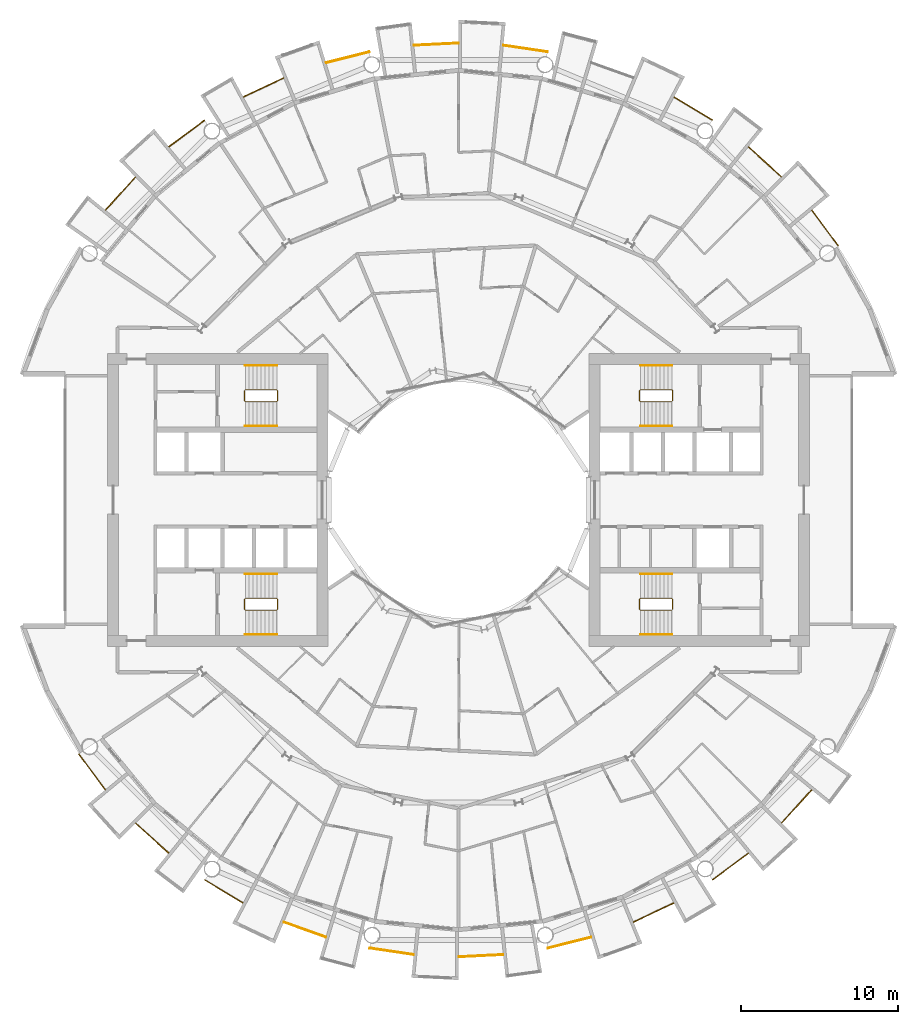
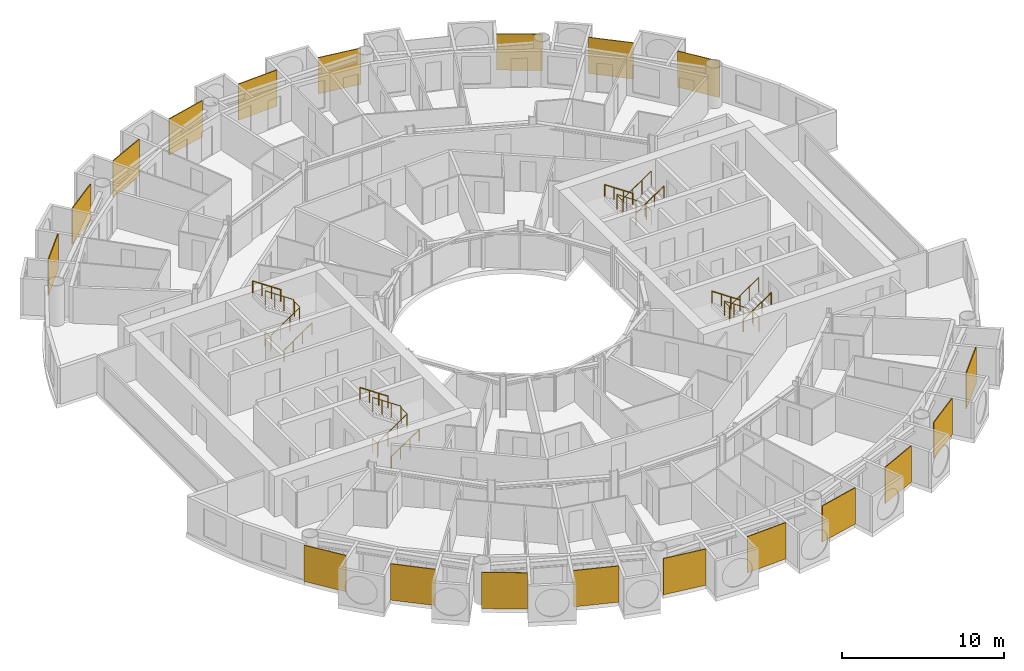
# One storey, part 25 of 26: 31 railings.
"""IFC4 building model written with IfcOpenShell, lengths in metres."""

from ifc_helpers import new_model, si_unit, direction, frame, origin, origin_2d, place, context, subcontext, project, spatial, polyline, circle, outline, extrude, material, layer, layer_set, type_object, element, save


model = new_model("IFC4")

# Units and contexts
model_context = context("Model", 3, precision=1e-05, world=origin(), true_north=direction((0.0, 1.0)))
body_context = subcontext(model_context, "Body", "Model", "MODEL_VIEW")
ifc_project = project(units=[si_unit("LENGTHUNIT", "METRE"), si_unit("AREAUNIT", "SQUARE_METRE"), si_unit("VOLUMEUNIT", "CUBIC_METRE"), si_unit("PLANEANGLEUNIT", "RADIAN"), si_unit("MASSUNIT", "GRAM", prefix="KILO")], contexts=[model_context])

# Site, building, storey
site_placement = place(None, origin())
site = spatial("IfcSite", under=ifc_project, at=site_placement, CompositionType="ELEMENT")
building_placement = place(site_placement, origin())
building = spatial("IfcBuilding", under=site, at=building_placement, Name="Maasbend Ring Residences", CompositionType="ELEMENT")
storey_placement = place(building_placement, frame((0.0, 0.0, 69.699951171875)))
storey = spatial("IfcBuildingStorey", under=building, at=storey_placement, Name="L19", CompositionType="ELEMENT", Elevation=69.699951171875)

# Railings
ifc_material_1 = material(Name="Pale anodised perforated aluminium", Category="aluminium")
ifc_layer = layer(ifc_material_1, 0.06005859375)
ifc_layer_set = layer_set([ifc_layer], Name="SCREEN-P")
railing_type_1 = type_object("IfcRailingType", Name="SCREEN-P", PredefinedType="GUARDRAIL", material=ifc_layer_set)
railing_1_placement = place(storey_placement, frame((0.0, 0.0, -0.030029296875)))
element("IfcRailing", 1, at=railing_1_placement, inside=storey, type_object=railing_type_1, Name="Perforated screen guard 1", PredefinedType="GUARDRAIL", context=body_context, shape_type="SweptSolid", body=[
    extrude(outline(polyline([(24.113037109375, 16.112060546875), (22.4169921875, 18.39697265625), (22.465087890625, 18.43310546875), (24.160888671875, 16.14697265625), (24.113037109375, 16.112060546875)])), origin(), (0.0, 0.0, 1.0), 2.72998046875),
])
railing_2_placement = place(storey_placement, frame((0.0, 0.0, -0.030029296875)))
element("IfcRailing", 2, at=railing_2_placement, inside=storey, type_object=railing_type_1, Name="Perforated screen guard 2", PredefinedType="GUARDRAIL", context=body_context, shape_type="SweptSolid", body=[
    extrude(outline(polyline([(20.506103515625, 20.506103515625), (18.39697265625, 22.4169921875), (18.43798828125, 22.4619140625), (20.5458984375, 20.551025390625), (20.506103515625, 20.506103515625)])), origin(), (0.0, 0.0, 1.0), 2.72998046875),
])
railing_3_placement = place(storey_placement, frame((0.0, 0.0, -0.030029296875)))
element("IfcRailing", 3, at=railing_3_placement, inside=storey, type_object=railing_type_1, Name="Perforated screen guard 3", PredefinedType="GUARDRAIL", context=body_context, shape_type="SweptSolid", body=[
    extrude(outline(polyline([(16.112060546875, 24.113037109375), (13.6708984375, 25.575927734375), (13.700927734375, 25.626953125), (16.14208984375, 24.1640625), (16.112060546875, 24.113037109375)])), origin(), (0.0, 0.0, 1.0), 2.72998046875),
])
railing_4_placement = place(storey_placement, frame((0.0, 0.0, -0.030029296875)))
element("IfcRailing", 4, at=railing_4_placement, inside=storey, type_object=railing_type_1, Name="Perforated screen guard 5", PredefinedType="GUARDRAIL", context=body_context, shape_type="SweptSolid", body=[
    extrude(outline(polyline([(5.657958984375, 28.443115234375), (2.842041015625, 28.860107421875), (2.85107421875, 28.919921875), (5.666015625, 28.501953125), (5.657958984375, 28.443115234375)])), origin(), (0.0, 0.0, 1.0), 2.72998046875),
])
railing_5_placement = place(storey_placement, frame((0.0, 0.0, -0.030029296875)))
element("IfcRailing", 5, at=railing_5_placement, inside=storey, type_object=railing_type_1, Name="Perforated screen guard 6", PredefinedType="GUARDRAIL", context=body_context, shape_type="SweptSolid", body=[
    extrude(outline(polyline([(0.0, 29.0), (-2.842041015625, 28.860107421875), (-2.844970703125, 28.919921875), (-0.0029296875, 29.06005859375), (0.0, 29.0)])), origin(), (0.0, 0.0, 1.0), 2.72998046875),
])
railing_6_placement = place(storey_placement, frame((0.0, 0.0, -0.030029296875)))
element("IfcRailing", 6, at=railing_6_placement, inside=storey, type_object=railing_type_1, Name="Perforated screen guard 7", PredefinedType="GUARDRAIL", context=body_context, shape_type="SweptSolid", body=[
    extrude(outline(polyline([(-5.657958984375, 28.443115234375), (-8.41796875, 27.7509765625), (-8.43310546875, 27.80908203125), (-5.672119140625, 28.5009765625), (-5.657958984375, 28.443115234375)])), origin(), (0.0, 0.0, 1.0), 2.72998046875),
])
railing_7_placement = place(storey_placement, frame((0.0, 0.0, -0.030029296875)))
element("IfcRailing", 7, at=railing_7_placement, inside=storey, type_object=railing_type_1, Name="Perforated screen guard 8", PredefinedType="GUARDRAIL", context=body_context, shape_type="SweptSolid", body=[
    extrude(outline(polyline([(-11.097900390625, 26.79296875), (-13.6708984375, 25.575927734375), (-13.696044921875, 25.6298828125), (-11.123046875, 26.846923828125), (-11.097900390625, 26.79296875)])), origin(), (0.0, 0.0, 1.0), 2.72998046875),
])
railing_8_placement = place(storey_placement, frame((0.0, 0.0, -0.030029296875)))
element("IfcRailing", 8, at=railing_8_placement, inside=storey, type_object=railing_type_1, Name="Perforated screen guard 9", PredefinedType="GUARDRAIL", context=body_context, shape_type="SweptSolid", body=[
    extrude(outline(polyline([(-16.112060546875, 24.113037109375), (-18.39697265625, 22.4169921875), (-18.43310546875, 22.465087890625), (-16.14697265625, 24.160888671875), (-16.112060546875, 24.113037109375)])), origin(), (0.0, 0.0, 1.0), 2.72998046875),
])
railing_9_placement = place(storey_placement, frame((0.0, 0.0, -0.030029296875)))
element("IfcRailing", 9, at=railing_9_placement, inside=storey, type_object=railing_type_1, Name="Perforated screen guard 10", PredefinedType="GUARDRAIL", context=body_context, shape_type="SweptSolid", body=[
    extrude(outline(polyline([(-20.506103515625, 20.506103515625), (-22.4169921875, 18.39697265625), (-22.4619140625, 18.43798828125), (-20.551025390625, 20.5458984375), (-20.506103515625, 20.506103515625)])), origin(), (0.0, 0.0, 1.0), 2.72998046875),
])
railing_10_placement = place(storey_placement, frame((0.0, 0.0, -0.030029296875)))
element("IfcRailing", 10, at=railing_10_placement, inside=storey, type_object=railing_type_1, Name="Perforated screen guard 1", PredefinedType="GUARDRAIL", context=body_context, shape_type="SweptSolid", body=[
    extrude(outline(polyline([(-24.113037109375, -16.112060546875), (-22.4169921875, -18.39697265625), (-22.465087890625, -18.43310546875), (-24.160888671875, -16.14697265625), (-24.113037109375, -16.112060546875)])), origin(), (0.0, 0.0, 1.0), 2.72998046875),
])
railing_11_placement = place(storey_placement, frame((0.0, 0.0, -0.030029296875)))
element("IfcRailing", 11, at=railing_11_placement, inside=storey, type_object=railing_type_1, Name="Perforated screen guard 2", PredefinedType="GUARDRAIL", context=body_context, shape_type="SweptSolid", body=[
    extrude(outline(polyline([(-20.506103515625, -20.506103515625), (-18.39697265625, -22.4169921875), (-18.43798828125, -22.4619140625), (-20.5458984375, -20.551025390625), (-20.506103515625, -20.506103515625)])), origin(), (0.0, 0.0, 1.0), 2.72998046875),
])
railing_12_placement = place(storey_placement, frame((0.0, 0.0, -0.030029296875)))
element("IfcRailing", 12, at=railing_12_placement, inside=storey, type_object=railing_type_1, Name="Perforated screen guard 3", PredefinedType="GUARDRAIL", context=body_context, shape_type="SweptSolid", body=[
    extrude(outline(polyline([(-16.112060546875, -24.113037109375), (-13.6708984375, -25.575927734375), (-13.700927734375, -25.626953125), (-16.14208984375, -24.1640625), (-16.112060546875, -24.113037109375)])), origin(), (0.0, 0.0, 1.0), 2.72998046875),
])
railing_13_placement = place(storey_placement, frame((0.0, 0.0, -0.030029296875)))
element("IfcRailing", 13, at=railing_13_placement, inside=storey, type_object=railing_type_1, Name="Perforated screen guard 4", PredefinedType="GUARDRAIL", context=body_context, shape_type="SweptSolid", body=[
    extrude(outline(polyline([(-11.097900390625, -26.79296875), (-8.41796875, -27.7509765625), (-8.43798828125, -27.80810546875), (-11.117919921875, -26.84912109375), (-11.097900390625, -26.79296875)])), origin(), (0.0, 0.0, 1.0), 2.72998046875),
])
railing_14_placement = place(storey_placement, frame((0.0, 0.0, -0.030029296875)))
element("IfcRailing", 14, at=railing_14_placement, inside=storey, type_object=railing_type_1, Name="Perforated screen guard 5", PredefinedType="GUARDRAIL", context=body_context, shape_type="SweptSolid", body=[
    extrude(outline(polyline([(-5.657958984375, -28.443115234375), (-2.842041015625, -28.860107421875), (-2.85107421875, -28.919921875), (-5.666015625, -28.501953125), (-5.657958984375, -28.443115234375)])), origin(), (0.0, 0.0, 1.0), 2.72998046875),
])
railing_15_placement = place(storey_placement, frame((0.0, 0.0, -0.030029296875)))
element("IfcRailing", 15, at=railing_15_placement, inside=storey, type_object=railing_type_1, Name="Perforated screen guard 6", PredefinedType="GUARDRAIL", context=body_context, shape_type="SweptSolid", body=[
    extrude(outline(polyline([(0.0, -29.0), (2.842041015625, -28.860107421875), (2.844970703125, -28.919921875), (0.0029296875, -29.06005859375), (0.0, -29.0)])), origin(), (0.0, 0.0, 1.0), 2.72998046875),
])
railing_16_placement = place(storey_placement, frame((0.0, 0.0, -0.030029296875)))
element("IfcRailing", 16, at=railing_16_placement, inside=storey, type_object=railing_type_1, Name="Perforated screen guard 7", PredefinedType="GUARDRAIL", context=body_context, shape_type="SweptSolid", body=[
    extrude(outline(polyline([(5.657958984375, -28.443115234375), (8.41796875, -27.7509765625), (8.43310546875, -27.80908203125), (5.672119140625, -28.5009765625), (5.657958984375, -28.443115234375)])), origin(), (0.0, 0.0, 1.0), 2.72998046875),
])
railing_17_placement = place(storey_placement, frame((0.0, 0.0, -0.030029296875)))
element("IfcRailing", 17, at=railing_17_placement, inside=storey, type_object=railing_type_1, Name="Perforated screen guard 8", PredefinedType="GUARDRAIL", context=body_context, shape_type="SweptSolid", body=[
    extrude(outline(polyline([(11.097900390625, -26.79296875), (13.6708984375, -25.575927734375), (13.696044921875, -25.6298828125), (11.123046875, -26.846923828125), (11.097900390625, -26.79296875)])), origin(), (0.0, 0.0, 1.0), 2.72998046875),
])
railing_18_placement = place(storey_placement, frame((0.0, 0.0, -0.030029296875)))
element("IfcRailing", 18, at=railing_18_placement, inside=storey, type_object=railing_type_1, Name="Perforated screen guard 9", PredefinedType="GUARDRAIL", context=body_context, shape_type="SweptSolid", body=[
    extrude(outline(polyline([(16.112060546875, -24.113037109375), (18.39697265625, -22.4169921875), (18.43310546875, -22.465087890625), (16.14697265625, -24.160888671875), (16.112060546875, -24.113037109375)])), origin(), (0.0, 0.0, 1.0), 2.72998046875),
])
railing_19_placement = place(storey_placement, frame((0.0, 0.0, -0.030029296875)))
element("IfcRailing", 19, at=railing_19_placement, inside=storey, type_object=railing_type_1, Name="Perforated screen guard 10", PredefinedType="GUARDRAIL", context=body_context, shape_type="SweptSolid", body=[
    extrude(outline(polyline([(20.506103515625, -20.506103515625), (22.4169921875, -18.39697265625), (22.4619140625, -18.43798828125), (20.551025390625, -20.5458984375), (20.506103515625, -20.506103515625)])), origin(), (0.0, 0.0, 1.0), 2.72998046875),
])
ifc_material_2 = material(Name="Stainless steel 316", Category="steel")
railing_type_2 = type_object("IfcRailingType", Name="STAIR GUARD 1100", PredefinedType="GUARDRAIL", material=ifc_material_2)
railing_20_placement = place(storey_placement, frame((13.60009765625, 6.300048828125, 0.0)))
element("IfcRailing", 20, at=railing_20_placement, inside=storey, type_object=railing_type_2, Name="L19 ST-E1 stair guard 1", PredefinedType="GUARDRAIL", context=body_context, shape_type="SweptSolid", body=[
    extrude(circle(Radius=0.02392578125, at=origin_2d()), frame((0.0, 0.0, 1.076171875), z_axis=(0.0, 1.0, 0.0), x_axis=(-1.0, 0.0, 0.0)), (0.0, 0.0, 1.0), 0.64990234375),
    extrude(circle(Radius=0.02392578125, at=origin_2d()), frame((0.0, 0.64990234375, 1.076171875), z_axis=(-0.272562526181, 0.272562526181, 0.92272386912), x_axis=(-0.707106781187, -0.707106781187, 0.0)), (0.0, 0.0, 1.0), 0.18359375),
    extrude(circle(Radius=0.02392578125, at=origin_2d()), frame((-0.050048828125, 0.699951171875, 1.24560546875), z_axis=(-0.827750655447, 0.0, 0.561096116906), x_axis=(0.0, -1.0, 0.0)), (0.0, 0.0, 1.0), 2.416259765625),
    extrude(circle(Radius=0.02392578125, at=origin_2d()), frame((-2.050048828125, 0.699951171875, 2.60107421875), z_axis=(-0.707106781187, -0.707106781187, 0.0), x_axis=(0.707106781187, -0.707106781187, 0.0)), (0.0, 0.0, 1.0), 0.07080078125),
    extrude(circle(Radius=0.02392578125, at=origin_2d()), frame((-2.10009765625, 0.64990234375, 2.60107421875), z_axis=(0.0, -1.0, 0.0), x_axis=(1.0, 0.0, 0.0)), (0.0, 0.0, 1.0), 0.64990234375),
    extrude(circle(Radius=0.02392578125, at=origin_2d()), frame((-2.10009765625, 0.0, 2.60107421875), z_axis=(0.272562526181, -0.272562526181, 0.92272386912), x_axis=(0.707106781187, 0.707106781187, 0.0)), (0.0, 0.0, 1.0), 0.18359375),
    extrude(circle(Radius=0.02392578125, at=origin_2d()), frame((-2.050048828125, -0.050048828125, 2.7705078125), z_axis=(0.827797584762, 0.0, 0.561026878735), x_axis=(0.0, 1.0, 0.0)), (0.0, 0.0, 1.0), 2.416015625),
    extrude(circle(Radius=0.02099609375, at=origin_2d()), origin(), (0.0, 0.0, 1.0), 1.052001953125),
    extrude(circle(Radius=0.02099609375, at=origin_2d()), frame((0.0, 0.64990234375, 0.0)), (0.0, 0.0, 1.0), 1.052001953125),
    extrude(circle(Radius=0.02099609375, at=origin_2d()), frame((-0.050048828125, 0.699951171875, 0.16943359375)), (0.0, 0.0, 1.0), 1.052001953125),
    extrude(circle(Radius=0.02099609375, at=origin_2d()), frame((-0.716796875, 0.699951171875, 0.621337890625)), (0.0, 0.0, 1.0), 1.052001953125),
    extrude(circle(Radius=0.02099609375, at=origin_2d()), frame((-1.38330078125, 0.699951171875, 1.0732421875)), (0.0, 0.0, 1.0), 1.052001953125),
    extrude(circle(Radius=0.02099609375, at=origin_2d()), frame((-2.050048828125, 0.699951171875, 1.525146484375)), (0.0, 0.0, 1.0), 1.052001953125),
    extrude(circle(Radius=0.02099609375, at=origin_2d()), frame((-2.10009765625, 0.64990234375, 1.525146484375)), (0.0, 0.0, 1.0), 1.052001953125),
    extrude(circle(Radius=0.02099609375, at=origin_2d()), frame((-2.10009765625, 0.0, 1.525146484375)), (0.0, 0.0, 1.0), 1.052001953125),
    extrude(circle(Radius=0.02099609375, at=origin_2d()), frame((-2.050048828125, -0.050048828125, 1.694580078125)), (0.0, 0.0, 1.0), 1.052001953125),
    extrude(circle(Radius=0.02099609375, at=origin_2d()), frame((-1.38330078125, -0.050048828125, 2.146484375)), (0.0, 0.0, 1.0), 1.052001953125),
    extrude(circle(Radius=0.02099609375, at=origin_2d()), frame((-0.716796875, -0.050048828125, 2.59814453125)), (0.0, 0.0, 1.0), 1.052001953125),
    extrude(circle(Radius=0.02099609375, at=origin_2d()), frame((-0.050048828125, -0.050048828125, 3.050048828125)), (0.0, 0.0, 1.0), 1.052001953125),
])
railing_21_placement = place(storey_placement, frame((13.60009765625, -6.949951171875, 0.0)))
element("IfcRailing", 21, at=railing_21_placement, inside=storey, type_object=railing_type_2, Name="L19 ST-E2 stair guard 1", PredefinedType="GUARDRAIL", context=body_context, shape_type="SweptSolid", body=[
    extrude(circle(Radius=0.02392578125, at=origin_2d()), frame((0.0, 0.0, 1.076171875), z_axis=(0.0, 1.0, 0.0), x_axis=(-1.0, 0.0, 0.0)), (0.0, 0.0, 1.0), 0.64990234375),
    extrude(circle(Radius=0.02392578125, at=origin_2d()), frame((0.0, 0.64990234375, 1.076171875), z_axis=(-0.272562526181, 0.272562526181, 0.92272386912), x_axis=(-0.707106781187, -0.707106781187, 0.0)), (0.0, 0.0, 1.0), 0.18359375),
    extrude(circle(Radius=0.02392578125, at=origin_2d()), frame((-0.050048828125, 0.699951171875, 1.24560546875), z_axis=(-0.827750655447, 0.0, 0.561096116906), x_axis=(0.0, -1.0, 0.0)), (0.0, 0.0, 1.0), 2.416259765625),
    extrude(circle(Radius=0.02392578125, at=origin_2d()), frame((-2.050048828125, 0.699951171875, 2.60107421875), z_axis=(-0.707106781187, -0.707106781187, 0.0), x_axis=(0.707106781187, -0.707106781187, 0.0)), (0.0, 0.0, 1.0), 0.07080078125),
    extrude(circle(Radius=0.02392578125, at=origin_2d()), frame((-2.10009765625, 0.64990234375, 2.60107421875), z_axis=(0.0, -1.0, 0.0), x_axis=(1.0, 0.0, 0.0)), (0.0, 0.0, 1.0), 0.64990234375),
    extrude(circle(Radius=0.02392578125, at=origin_2d()), frame((-2.10009765625, 0.0, 2.60107421875), z_axis=(0.272562526181, -0.272562526181, 0.92272386912), x_axis=(0.707106781187, 0.707106781187, 0.0)), (0.0, 0.0, 1.0), 0.18359375),
    extrude(circle(Radius=0.02392578125, at=origin_2d()), frame((-2.050048828125, -0.050048828125, 2.7705078125), z_axis=(0.827797584762, 0.0, 0.561026878735), x_axis=(0.0, 1.0, 0.0)), (0.0, 0.0, 1.0), 2.416015625),
    extrude(circle(Radius=0.02099609375, at=origin_2d()), origin(), (0.0, 0.0, 1.0), 1.052001953125),
    extrude(circle(Radius=0.02099609375, at=origin_2d()), frame((0.0, 0.64990234375, 0.0)), (0.0, 0.0, 1.0), 1.052001953125),
    extrude(circle(Radius=0.02099609375, at=origin_2d()), frame((-0.050048828125, 0.699951171875, 0.16943359375)), (0.0, 0.0, 1.0), 1.052001953125),
    extrude(circle(Radius=0.02099609375, at=origin_2d()), frame((-0.716796875, 0.699951171875, 0.621337890625)), (0.0, 0.0, 1.0), 1.052001953125),
    extrude(circle(Radius=0.02099609375, at=origin_2d()), frame((-1.38330078125, 0.699951171875, 1.0732421875)), (0.0, 0.0, 1.0), 1.052001953125),
    extrude(circle(Radius=0.02099609375, at=origin_2d()), frame((-2.050048828125, 0.699951171875, 1.525146484375)), (0.0, 0.0, 1.0), 1.052001953125),
    extrude(circle(Radius=0.02099609375, at=origin_2d()), frame((-2.10009765625, 0.64990234375, 1.525146484375)), (0.0, 0.0, 1.0), 1.052001953125),
    extrude(circle(Radius=0.02099609375, at=origin_2d()), frame((-2.10009765625, 0.0, 1.525146484375)), (0.0, 0.0, 1.0), 1.052001953125),
    extrude(circle(Radius=0.02099609375, at=origin_2d()), frame((-2.050048828125, -0.050048828125, 1.694580078125)), (0.0, 0.0, 1.0), 1.052001953125),
    extrude(circle(Radius=0.02099609375, at=origin_2d()), frame((-1.38330078125, -0.050048828125, 2.146484375)), (0.0, 0.0, 1.0), 1.052001953125),
    extrude(circle(Radius=0.02099609375, at=origin_2d()), frame((-0.716796875, -0.050048828125, 2.59814453125)), (0.0, 0.0, 1.0), 1.052001953125),
    extrude(circle(Radius=0.02099609375, at=origin_2d()), frame((-0.050048828125, -0.050048828125, 3.050048828125)), (0.0, 0.0, 1.0), 1.052001953125),
])
railing_22_placement = place(storey_placement, frame((-13.60009765625, -6.300048828125, 0.0)))
element("IfcRailing", 22, at=railing_22_placement, inside=storey, type_object=railing_type_2, Name="L19 ST-W1 stair guard 1", PredefinedType="GUARDRAIL", context=body_context, shape_type="SweptSolid", body=[
    extrude(circle(Radius=0.02392578125, at=origin_2d()), frame((0.0, 0.0, 1.076171875), z_axis=(0.0, -1.0, 0.0), x_axis=(1.0, 0.0, 0.0)), (0.0, 0.0, 1.0), 0.64990234375),
    extrude(circle(Radius=0.02392578125, at=origin_2d()), frame((0.0, -0.64990234375, 1.076171875), z_axis=(0.272562526181, -0.272562526181, 0.92272386912), x_axis=(0.707106781187, 0.707106781187, 0.0)), (0.0, 0.0, 1.0), 0.18359375),
    extrude(circle(Radius=0.02392578125, at=origin_2d()), frame((0.050048828125, -0.699951171875, 1.24560546875), z_axis=(0.827750655447, 0.0, 0.561096116906), x_axis=(0.0, 1.0, 0.0)), (0.0, 0.0, 1.0), 2.416259765625),
    extrude(circle(Radius=0.02392578125, at=origin_2d()), frame((2.050048828125, -0.699951171875, 2.60107421875), z_axis=(0.707106781187, 0.707106781187, 0.0), x_axis=(-0.707106781187, 0.707106781187, 0.0)), (0.0, 0.0, 1.0), 0.07080078125),
    extrude(circle(Radius=0.02392578125, at=origin_2d()), frame((2.10009765625, -0.64990234375, 2.60107421875), z_axis=(0.0, 1.0, 0.0), x_axis=(-1.0, 0.0, 0.0)), (0.0, 0.0, 1.0), 0.64990234375),
    extrude(circle(Radius=0.02392578125, at=origin_2d()), frame((2.10009765625, 0.0, 2.60107421875), z_axis=(-0.272562526181, 0.272562526181, 0.92272386912), x_axis=(-0.707106781187, -0.707106781187, 0.0)), (0.0, 0.0, 1.0), 0.18359375),
    extrude(circle(Radius=0.02392578125, at=origin_2d()), frame((2.050048828125, 0.050048828125, 2.7705078125), z_axis=(-0.827797584762, 0.0, 0.561026878735), x_axis=(0.0, -1.0, 0.0)), (0.0, 0.0, 1.0), 2.416015625),
    extrude(circle(Radius=0.02099609375, at=origin_2d()), origin(), (0.0, 0.0, 1.0), 1.052001953125),
    extrude(circle(Radius=0.02099609375, at=origin_2d()), frame((0.0, -0.64990234375, 0.0)), (0.0, 0.0, 1.0), 1.052001953125),
    extrude(circle(Radius=0.02099609375, at=origin_2d()), frame((0.050048828125, -0.699951171875, 0.16943359375)), (0.0, 0.0, 1.0), 1.052001953125),
    extrude(circle(Radius=0.02099609375, at=origin_2d()), frame((0.716796875, -0.699951171875, 0.621337890625)), (0.0, 0.0, 1.0), 1.052001953125),
    extrude(circle(Radius=0.02099609375, at=origin_2d()), frame((1.38330078125, -0.699951171875, 1.0732421875)), (0.0, 0.0, 1.0), 1.052001953125),
    extrude(circle(Radius=0.02099609375, at=origin_2d()), frame((2.050048828125, -0.699951171875, 1.525146484375)), (0.0, 0.0, 1.0), 1.052001953125),
    extrude(circle(Radius=0.02099609375, at=origin_2d()), frame((2.10009765625, -0.64990234375, 1.525146484375)), (0.0, 0.0, 1.0), 1.052001953125),
    extrude(circle(Radius=0.02099609375, at=origin_2d()), frame((2.10009765625, 0.0, 1.525146484375)), (0.0, 0.0, 1.0), 1.052001953125),
    extrude(circle(Radius=0.02099609375, at=origin_2d()), frame((2.050048828125, 0.050048828125, 1.694580078125)), (0.0, 0.0, 1.0), 1.052001953125),
    extrude(circle(Radius=0.02099609375, at=origin_2d()), frame((1.38330078125, 0.050048828125, 2.146484375)), (0.0, 0.0, 1.0), 1.052001953125),
    extrude(circle(Radius=0.02099609375, at=origin_2d()), frame((0.716796875, 0.050048828125, 2.59814453125)), (0.0, 0.0, 1.0), 1.052001953125),
    extrude(circle(Radius=0.02099609375, at=origin_2d()), frame((0.050048828125, 0.050048828125, 3.050048828125)), (0.0, 0.0, 1.0), 1.052001953125),
])
railing_23_placement = place(storey_placement, frame((-13.60009765625, 6.949951171875, 0.0)))
element("IfcRailing", 23, at=railing_23_placement, inside=storey, type_object=railing_type_2, Name="L19 ST-W2 stair guard 1", PredefinedType="GUARDRAIL", context=body_context, shape_type="SweptSolid", body=[
    extrude(circle(Radius=0.02392578125, at=origin_2d()), frame((0.0, 0.0, 1.076171875), z_axis=(0.0, -1.0, 0.0), x_axis=(1.0, 0.0, 0.0)), (0.0, 0.0, 1.0), 0.64990234375),
    extrude(circle(Radius=0.02392578125, at=origin_2d()), frame((0.0, -0.64990234375, 1.076171875), z_axis=(0.272562526181, -0.272562526181, 0.92272386912), x_axis=(0.707106781187, 0.707106781187, 0.0)), (0.0, 0.0, 1.0), 0.18359375),
    extrude(circle(Radius=0.02392578125, at=origin_2d()), frame((0.050048828125, -0.699951171875, 1.24560546875), z_axis=(0.827750655447, 0.0, 0.561096116906), x_axis=(0.0, 1.0, 0.0)), (0.0, 0.0, 1.0), 2.416259765625),
    extrude(circle(Radius=0.02392578125, at=origin_2d()), frame((2.050048828125, -0.699951171875, 2.60107421875), z_axis=(0.707106781187, 0.707106781187, 0.0), x_axis=(-0.707106781187, 0.707106781187, 0.0)), (0.0, 0.0, 1.0), 0.07080078125),
    extrude(circle(Radius=0.02392578125, at=origin_2d()), frame((2.10009765625, -0.64990234375, 2.60107421875), z_axis=(0.0, 1.0, 0.0), x_axis=(-1.0, 0.0, 0.0)), (0.0, 0.0, 1.0), 0.64990234375),
    extrude(circle(Radius=0.02392578125, at=origin_2d()), frame((2.10009765625, 0.0, 2.60107421875), z_axis=(-0.272562526181, 0.272562526181, 0.92272386912), x_axis=(-0.707106781187, -0.707106781187, 0.0)), (0.0, 0.0, 1.0), 0.18359375),
    extrude(circle(Radius=0.02392578125, at=origin_2d()), frame((2.050048828125, 0.050048828125, 2.7705078125), z_axis=(-0.827797584762, 0.0, 0.561026878735), x_axis=(0.0, -1.0, 0.0)), (0.0, 0.0, 1.0), 2.416015625),
    extrude(circle(Radius=0.02099609375, at=origin_2d()), origin(), (0.0, 0.0, 1.0), 1.052001953125),
    extrude(circle(Radius=0.02099609375, at=origin_2d()), frame((0.0, -0.64990234375, 0.0)), (0.0, 0.0, 1.0), 1.052001953125),
    extrude(circle(Radius=0.02099609375, at=origin_2d()), frame((0.050048828125, -0.699951171875, 0.16943359375)), (0.0, 0.0, 1.0), 1.052001953125),
    extrude(circle(Radius=0.02099609375, at=origin_2d()), frame((0.716796875, -0.699951171875, 0.621337890625)), (0.0, 0.0, 1.0), 1.052001953125),
    extrude(circle(Radius=0.02099609375, at=origin_2d()), frame((1.38330078125, -0.699951171875, 1.0732421875)), (0.0, 0.0, 1.0), 1.052001953125),
    extrude(circle(Radius=0.02099609375, at=origin_2d()), frame((2.050048828125, -0.699951171875, 1.525146484375)), (0.0, 0.0, 1.0), 1.052001953125),
    extrude(circle(Radius=0.02099609375, at=origin_2d()), frame((2.10009765625, -0.64990234375, 1.525146484375)), (0.0, 0.0, 1.0), 1.052001953125),
    extrude(circle(Radius=0.02099609375, at=origin_2d()), frame((2.10009765625, 0.0, 1.525146484375)), (0.0, 0.0, 1.0), 1.052001953125),
    extrude(circle(Radius=0.02099609375, at=origin_2d()), frame((2.050048828125, 0.050048828125, 1.694580078125)), (0.0, 0.0, 1.0), 1.052001953125),
    extrude(circle(Radius=0.02099609375, at=origin_2d()), frame((1.38330078125, 0.050048828125, 2.146484375)), (0.0, 0.0, 1.0), 1.052001953125),
    extrude(circle(Radius=0.02099609375, at=origin_2d()), frame((0.716796875, 0.050048828125, 2.59814453125)), (0.0, 0.0, 1.0), 1.052001953125),
    extrude(circle(Radius=0.02099609375, at=origin_2d()), frame((0.050048828125, 0.050048828125, 3.050048828125)), (0.0, 0.0, 1.0), 1.052001953125),
])
ifc_material_3 = material(Name="Stainless steel 316", Category="steel")
railing_type_3 = type_object("IfcRailingType", Name="STAIR HANDRAIL 900", PredefinedType="HANDRAIL", material=ifc_material_3)
railing_24_placement = place(storey_placement, frame((13.550048828125, 8.550048828125, 0.16943359375)))
element("IfcRailing", 24, at=railing_24_placement, inside=storey, type_object=railing_type_3, Name="L19 ST-E1 stair handrail 1", PredefinedType="HANDRAIL", context=body_context, shape_type="SweptSolid", body=[
    extrude(circle(Radius=0.02392578125, at=origin_2d()), frame((0.0, 0.0, 0.8759765625), z_axis=(-0.827750655447, 0.0, 0.561096116906), x_axis=(0.0, -1.0, 0.0)), (0.0, 0.0, 1.0), 2.416259765625),
    extrude(circle(Radius=0.02099609375, at=origin_2d()), origin(), (0.0, 0.0, 1.0), 0.851806640625),
    extrude(circle(Radius=0.02099609375, at=origin_2d()), frame((-0.666748046875, 0.0, 0.451904296875)), (0.0, 0.0, 1.0), 0.851806640625),
    extrude(circle(Radius=0.02099609375, at=origin_2d()), frame((-1.333251953125, 0.0, 0.90380859375)), (0.0, 0.0, 1.0), 0.851806640625),
    extrude(circle(Radius=0.02099609375, at=origin_2d()), frame((-2.0, 0.0, 1.355712890625)), (0.0, 0.0, 1.0), 0.851806640625),
])
railing_25_placement = place(storey_placement, frame((11.550048828125, 4.699951171875, 1.694580078125)))
element("IfcRailing", 25, at=railing_25_placement, inside=storey, type_object=railing_type_3, Name="L19 ST-E1 stair handrail 2", PredefinedType="HANDRAIL", context=body_context, shape_type="SweptSolid", body=[
    extrude(circle(Radius=0.02392578125, at=origin_2d()), frame((0.0, 0.0, 0.8759765625), z_axis=(0.827797584762, 0.0, 0.561026878735), x_axis=(0.0, 1.0, 0.0)), (0.0, 0.0, 1.0), 2.416015625),
    extrude(circle(Radius=0.02099609375, at=origin_2d()), origin(), (0.0, 0.0, 1.0), 0.851806640625),
    extrude(circle(Radius=0.02099609375, at=origin_2d()), frame((0.666748046875, 0.0, 0.451904296875)), (0.0, 0.0, 1.0), 0.851806640625),
    extrude(circle(Radius=0.02099609375, at=origin_2d()), frame((1.333251953125, 0.0, 0.903564453125)), (0.0, 0.0, 1.0), 0.851806640625),
    extrude(circle(Radius=0.02099609375, at=origin_2d()), frame((2.0, 0.0, 1.35546875)), (0.0, 0.0, 1.0), 0.851806640625),
])
railing_26_placement = place(storey_placement, frame((13.550048828125, -4.699951171875, 0.16943359375)))
element("IfcRailing", 26, at=railing_26_placement, inside=storey, type_object=railing_type_3, Name="L19 ST-E2 stair handrail 1", PredefinedType="HANDRAIL", context=body_context, shape_type="SweptSolid", body=[
    extrude(circle(Radius=0.02392578125, at=origin_2d()), frame((0.0, 0.0, 0.8759765625), z_axis=(-0.827750655447, 0.0, 0.561096116906), x_axis=(0.0, -1.0, 0.0)), (0.0, 0.0, 1.0), 2.416259765625),
    extrude(circle(Radius=0.02099609375, at=origin_2d()), origin(), (0.0, 0.0, 1.0), 0.851806640625),
    extrude(circle(Radius=0.02099609375, at=origin_2d()), frame((-0.666748046875, 0.0, 0.451904296875)), (0.0, 0.0, 1.0), 0.851806640625),
    extrude(circle(Radius=0.02099609375, at=origin_2d()), frame((-1.333251953125, 0.0, 0.90380859375)), (0.0, 0.0, 1.0), 0.851806640625),
    extrude(circle(Radius=0.02099609375, at=origin_2d()), frame((-2.0, 0.0, 1.355712890625)), (0.0, 0.0, 1.0), 0.851806640625),
])
railing_27_placement = place(storey_placement, frame((11.550048828125, -8.550048828125, 1.694580078125)))
element("IfcRailing", 27, at=railing_27_placement, inside=storey, type_object=railing_type_3, Name="L19 ST-E2 stair handrail 2", PredefinedType="HANDRAIL", context=body_context, shape_type="SweptSolid", body=[
    extrude(circle(Radius=0.02392578125, at=origin_2d()), frame((0.0, 0.0, 0.8759765625), z_axis=(0.827797584762, 0.0, 0.561026878735), x_axis=(0.0, 1.0, 0.0)), (0.0, 0.0, 1.0), 2.416015625),
    extrude(circle(Radius=0.02099609375, at=origin_2d()), origin(), (0.0, 0.0, 1.0), 0.851806640625),
    extrude(circle(Radius=0.02099609375, at=origin_2d()), frame((0.666748046875, 0.0, 0.451904296875)), (0.0, 0.0, 1.0), 0.851806640625),
    extrude(circle(Radius=0.02099609375, at=origin_2d()), frame((1.333251953125, 0.0, 0.903564453125)), (0.0, 0.0, 1.0), 0.851806640625),
    extrude(circle(Radius=0.02099609375, at=origin_2d()), frame((2.0, 0.0, 1.35546875)), (0.0, 0.0, 1.0), 0.851806640625),
])
railing_28_placement = place(storey_placement, frame((-13.550048828125, -8.550048828125, 0.16943359375)))
element("IfcRailing", 28, at=railing_28_placement, inside=storey, type_object=railing_type_3, Name="L19 ST-W1 stair handrail 1", PredefinedType="HANDRAIL", context=body_context, shape_type="SweptSolid", body=[
    extrude(circle(Radius=0.02392578125, at=origin_2d()), frame((0.0, 0.0, 0.8759765625), z_axis=(0.827750655447, 0.0, 0.561096116906), x_axis=(0.0, 1.0, 0.0)), (0.0, 0.0, 1.0), 2.416259765625),
    extrude(circle(Radius=0.02099609375, at=origin_2d()), origin(), (0.0, 0.0, 1.0), 0.851806640625),
    extrude(circle(Radius=0.02099609375, at=origin_2d()), frame((0.666748046875, 0.0, 0.451904296875)), (0.0, 0.0, 1.0), 0.851806640625),
    extrude(circle(Radius=0.02099609375, at=origin_2d()), frame((1.333251953125, 0.0, 0.90380859375)), (0.0, 0.0, 1.0), 0.851806640625),
    extrude(circle(Radius=0.02099609375, at=origin_2d()), frame((2.0, 0.0, 1.355712890625)), (0.0, 0.0, 1.0), 0.851806640625),
])
railing_29_placement = place(storey_placement, frame((-11.550048828125, -4.699951171875, 1.694580078125)))
element("IfcRailing", 29, at=railing_29_placement, inside=storey, type_object=railing_type_3, Name="L19 ST-W1 stair handrail 2", PredefinedType="HANDRAIL", context=body_context, shape_type="SweptSolid", body=[
    extrude(circle(Radius=0.02392578125, at=origin_2d()), frame((0.0, 0.0, 0.8759765625), z_axis=(-0.827797584762, 0.0, 0.561026878735), x_axis=(0.0, -1.0, 0.0)), (0.0, 0.0, 1.0), 2.416015625),
    extrude(circle(Radius=0.02099609375, at=origin_2d()), origin(), (0.0, 0.0, 1.0), 0.851806640625),
    extrude(circle(Radius=0.02099609375, at=origin_2d()), frame((-0.666748046875, 0.0, 0.451904296875)), (0.0, 0.0, 1.0), 0.851806640625),
    extrude(circle(Radius=0.02099609375, at=origin_2d()), frame((-1.333251953125, 0.0, 0.903564453125)), (0.0, 0.0, 1.0), 0.851806640625),
    extrude(circle(Radius=0.02099609375, at=origin_2d()), frame((-2.0, 0.0, 1.35546875)), (0.0, 0.0, 1.0), 0.851806640625),
])
railing_30_placement = place(storey_placement, frame((-13.550048828125, 4.699951171875, 0.16943359375)))
element("IfcRailing", 30, at=railing_30_placement, inside=storey, type_object=railing_type_3, Name="L19 ST-W2 stair handrail 1", PredefinedType="HANDRAIL", context=body_context, shape_type="SweptSolid", body=[
    extrude(circle(Radius=0.02392578125, at=origin_2d()), frame((0.0, 0.0, 0.8759765625), z_axis=(0.827750655447, 0.0, 0.561096116906), x_axis=(0.0, 1.0, 0.0)), (0.0, 0.0, 1.0), 2.416259765625),
    extrude(circle(Radius=0.02099609375, at=origin_2d()), origin(), (0.0, 0.0, 1.0), 0.851806640625),
    extrude(circle(Radius=0.02099609375, at=origin_2d()), frame((0.666748046875, 0.0, 0.451904296875)), (0.0, 0.0, 1.0), 0.851806640625),
    extrude(circle(Radius=0.02099609375, at=origin_2d()), frame((1.333251953125, 0.0, 0.90380859375)), (0.0, 0.0, 1.0), 0.851806640625),
    extrude(circle(Radius=0.02099609375, at=origin_2d()), frame((2.0, 0.0, 1.355712890625)), (0.0, 0.0, 1.0), 0.851806640625),
])
railing_31_placement = place(storey_placement, frame((-11.550048828125, 8.550048828125, 1.694580078125)))
element("IfcRailing", 31, at=railing_31_placement, inside=storey, type_object=railing_type_3, Name="L19 ST-W2 stair handrail 2", PredefinedType="HANDRAIL", context=body_context, shape_type="SweptSolid", body=[
    extrude(circle(Radius=0.02392578125, at=origin_2d()), frame((0.0, 0.0, 0.8759765625), z_axis=(-0.827797584762, 0.0, 0.561026878735), x_axis=(0.0, -1.0, 0.0)), (0.0, 0.0, 1.0), 2.416015625),
    extrude(circle(Radius=0.02099609375, at=origin_2d()), origin(), (0.0, 0.0, 1.0), 0.851806640625),
    extrude(circle(Radius=0.02099609375, at=origin_2d()), frame((-0.666748046875, 0.0, 0.451904296875)), (0.0, 0.0, 1.0), 0.851806640625),
    extrude(circle(Radius=0.02099609375, at=origin_2d()), frame((-1.333251953125, 0.0, 0.903564453125)), (0.0, 0.0, 1.0), 0.851806640625),
    extrude(circle(Radius=0.02099609375, at=origin_2d()), frame((-2.0, 0.0, 1.35546875)), (0.0, 0.0, 1.0), 0.851806640625),
])

save(model, "model.ifc")
